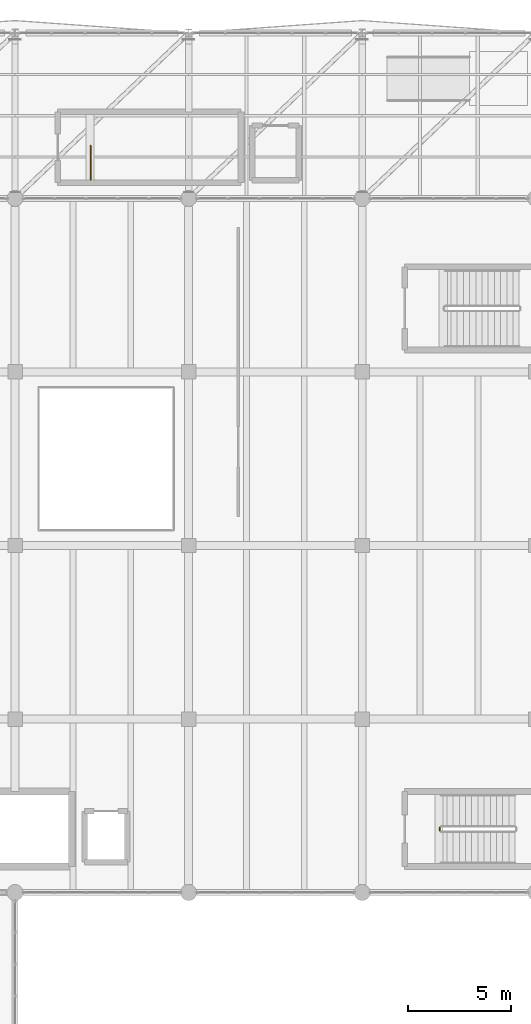
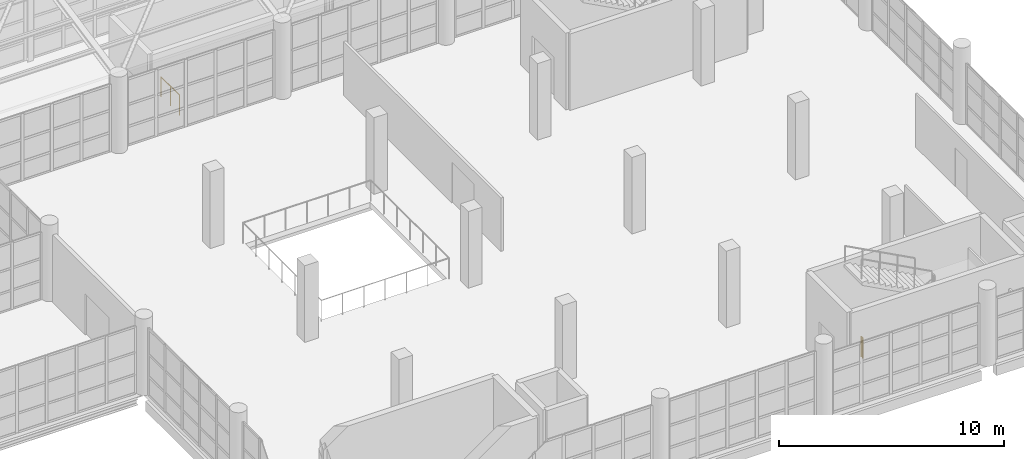
# One storey, part 170 of 177: 2 railings.
"""IFC4 building model written with IfcOpenShell, lengths in metres."""

from ifc_helpers import new_model, si_unit, direction, frame, origin, origin_2d, place, context, subcontext, project, spatial, circle, extrude, material, type_object, element, save


model = new_model("IFC4")

# Units and contexts
model_context = context("Model", 3, precision=1e-05, world=origin(), true_north=direction((0.0, 1.0)))
body_context = subcontext(model_context, "Body", "Model", "MODEL_VIEW")
ifc_project = project(units=[si_unit("LENGTHUNIT", "METRE"), si_unit("AREAUNIT", "SQUARE_METRE"), si_unit("VOLUMEUNIT", "CUBIC_METRE"), si_unit("PLANEANGLEUNIT", "RADIAN"), si_unit("MASSUNIT", "GRAM", prefix="KILO"), si_unit("THERMODYNAMICTEMPERATUREUNIT", "KELVIN"), si_unit("POWERUNIT", "WATT")], contexts=[model_context])

# Site, building, storey
site_placement = place(None, origin())
site = spatial("IfcSite", under=ifc_project, at=site_placement, CompositionType="ELEMENT")
building_placement = place(site_placement, origin())
building = spatial("IfcBuilding", under=site, at=building_placement, Name="Mavoryth Pier Ferry Terminal", CompositionType="ELEMENT")
storey_placement = place(building_placement, frame((0.0, 0.0, 5.43994140625)))
storey = spatial("IfcBuildingStorey", under=building, at=storey_placement, Name="L01", CompositionType="ELEMENT", Elevation=5.43994140625)

# Railings
ifc_material = material(Name="Painted Galvanised Steel Balustrade", Category="steel")
railing_type = type_object("IfcRailingType", Name="Guard-Stair-Steel1100", PredefinedType="GUARDRAIL", material=ifc_material)
railing_1_placement = place(storey_placement, frame((79.35009765625, 75.39990234375, 0.0)))
element("IfcRailing", 1, at=railing_1_placement, inside=storey, type_object=railing_type, Name="L01 ST05 stair guard 4", PredefinedType="GUARDRAIL", context=body_context, shape_type="SweptSolid", body=[
    extrude(circle(Radius=0.02392578125, at=origin_2d()), frame((0.0, 0.0, 1.076171875), z_axis=(0.0, 1.0, 0.0), x_axis=(-1.0, 0.0, 0.0)), (0.0, 0.0, 1.0), 0.150146484375),
    extrude(circle(Radius=0.02099609375, at=origin_2d()), origin(), (0.0, 0.0, 1.0), 1.052001953125),
    extrude(circle(Radius=0.02099609375, at=origin_2d()), frame((0.0, 0.150146484375, 0.0)), (0.0, 0.0, 1.0), 1.052001953125),
])
railing_2_placement = place(storey_placement, frame((62.449951171875, 106.89990234375, 0.0)))
element("IfcRailing", 2, at=railing_2_placement, inside=storey, type_object=railing_type, Name="L01 ST06 top well guard 1", PredefinedType="GUARDRAIL", context=body_context, shape_type="SweptSolid", body=[
    extrude(circle(Radius=0.02392578125, at=origin_2d()), frame((0.0, 0.0, 1.076171875), z_axis=(0.0, 1.0, 0.0), x_axis=(-1.0, 0.0, 0.0)), (0.0, 0.0, 1.0), 1.650146484375),
    extrude(circle(Radius=0.02099609375, at=origin_2d()), origin(), (0.0, 0.0, 1.0), 1.052001953125),
    extrude(circle(Radius=0.02099609375, at=origin_2d()), frame((0.0, 0.8251953125, 0.0)), (0.0, 0.0, 1.0), 1.052001953125),
    extrude(circle(Radius=0.02099609375, at=origin_2d()), frame((0.0, 1.650146484375, 0.0)), (0.0, 0.0, 1.0), 1.052001953125),
])

save(model, "model.ifc")
